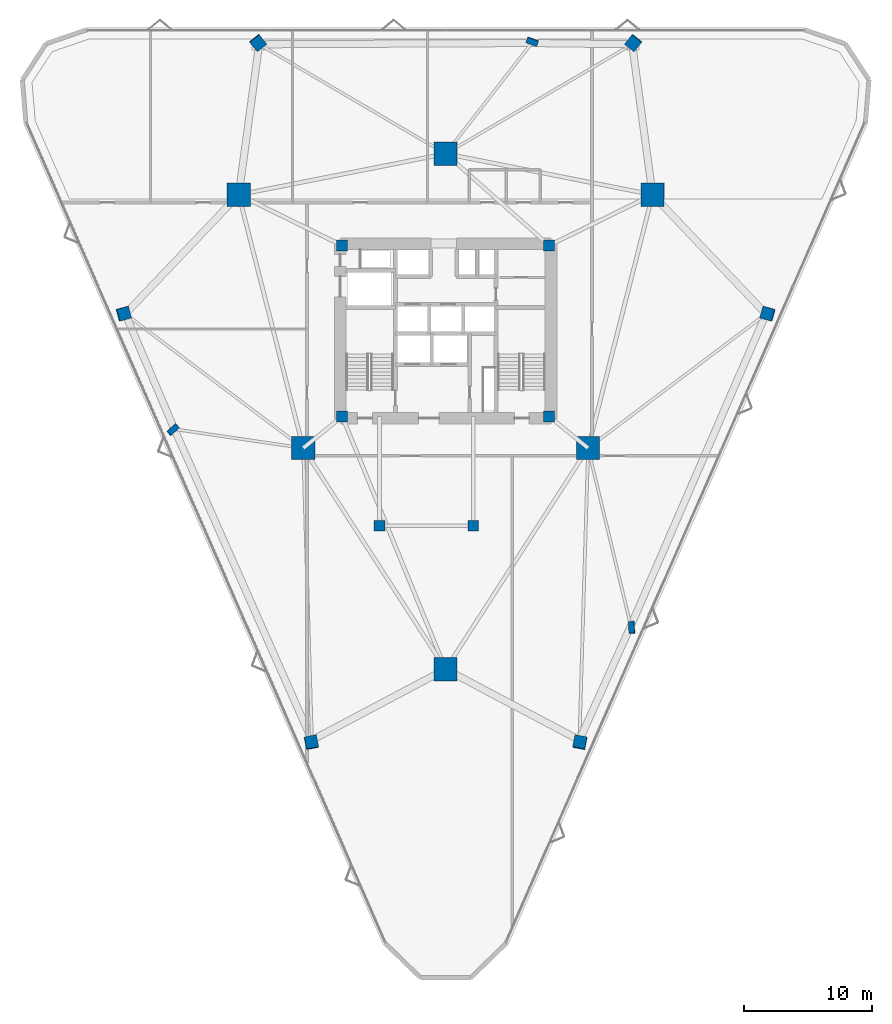
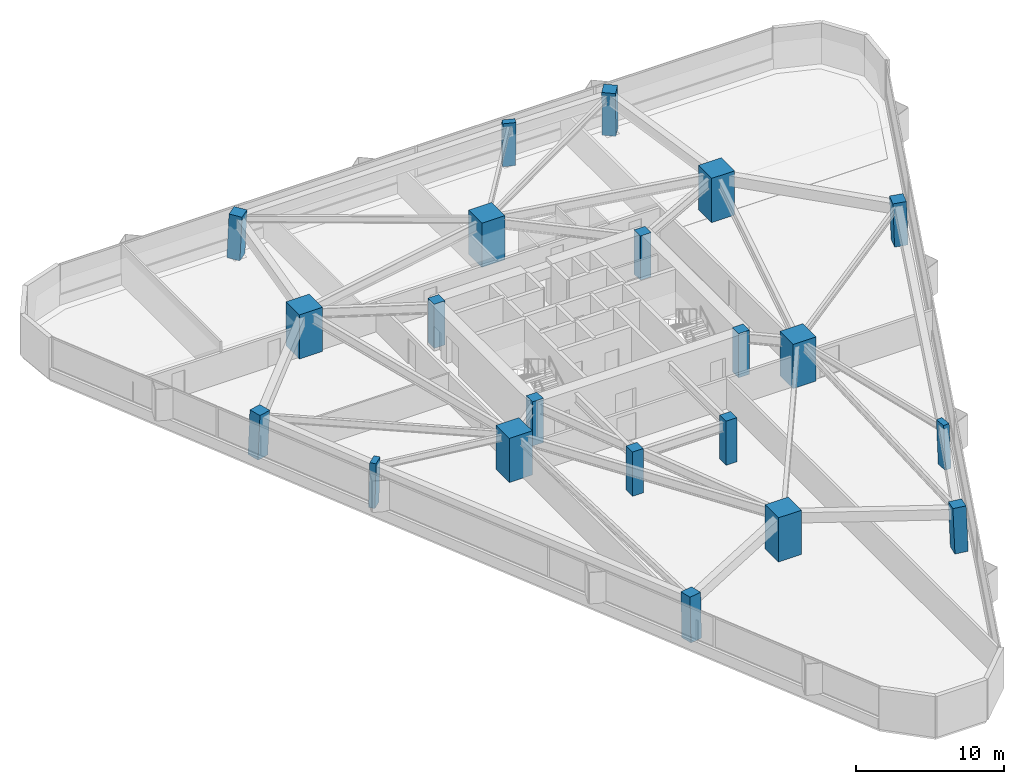
# One storey, part 1 of 21: 21 columns.
"""IFC4 building model written with IfcOpenShell, lengths in metres."""

import ifcopenshell
import ifcopenshell.guid

model = None  # the IFC model being written
_history = None  # IfcOwnerHistory: only IFC2X3 demands one
_inside = {}  # id of a spatial element -> (the spatial element, [elements in it])
_under = {}  # id of a project, library or spatial element -> (it, [spatial elements below it])
_declared = {}  # id of a project -> (the project, [libraries it declares])
_typed = {}  # id of a type object -> (the type object, [elements of that type])
_made_of = {}  # id of a material, layer set ... -> (it, [elements and type objects made of it])


def new_model(schema):
    """Start an empty IFC model of exactly this schema.

    Asked for "IFC4X3", IfcOpenShell would pick the latest addendum, in which some entities
    have other attributes; the version numbers below select the first issue.
    IFC2X3 requires an IfcOwnerHistory on every rooted entity: one is made here for all.
    """
    global model, _history
    if schema == "IFC4X3":
        model = ifcopenshell.file(schema_version=(4, 3, 0, 0))
    else:
        model = ifcopenshell.file(schema=schema)
    _inside.clear()
    _under.clear()
    _declared.clear()
    _typed.clear()
    _made_of.clear()
    _history = None
    if model.schema == "IFC2X3":
        org = make("IfcOrganization", Name="unknown")
        user = make(
            "IfcPersonAndOrganization",
            ThePerson=make("IfcPerson", FamilyName="unknown"),
            TheOrganization=org,
        )
        app = make(
            "IfcApplication",
            ApplicationDeveloper=org,
            Version="unknown",
            ApplicationFullName="unknown",
            ApplicationIdentifier="unknown",
        )
        _history = make(
            "IfcOwnerHistory",
            OwningUser=user,
            OwningApplication=app,
            ChangeAction="ADDED",
            CreationDate=0,
        )
    return model


def make(cls, **values):
    """One entity of the class cls with the attributes given. An attribute that is None is left unset."""
    return model.create_entity(
        cls, **{name: value for name, value in values.items() if value is not None}
    )


def rooted(cls, **values):
    """An entity with a GlobalId (a new one), such as an element, a storey or a relation."""
    return make(cls, GlobalId=ifcopenshell.guid.new(), OwnerHistory=_history, **values)


def si_unit(unit_type, name, prefix=None):
    """IfcSIUnit, for example si_unit("LENGTHUNIT", "METRE", prefix="MILLI")."""
    return make("IfcSIUnit", UnitType=unit_type, Prefix=prefix, Name=name)


def assignment(units):
    """IfcUnitAssignment: the units of a project."""
    return None if units is None else make("IfcUnitAssignment", Units=units)


def point(xyz):
    """IfcCartesianPoint."""
    return None if xyz is None else make("IfcCartesianPoint", Coordinates=xyz)


def direction(xyz):
    """IfcDirection."""
    return None if xyz is None else make("IfcDirection", DirectionRatios=xyz)


def frame(location, z_axis=None, x_axis=None):
    """IfcAxis2Placement3D, a coordinate frame: its origin and axes. An axis left out is left unset."""
    return make(
        "IfcAxis2Placement3D",
        Location=point(location),
        Axis=direction(z_axis),
        RefDirection=direction(x_axis),
    )


def frame_2d(location, x_axis=None):
    """IfcAxis2Placement2D, a coordinate frame in the plane: its origin and x axis."""
    return make(
        "IfcAxis2Placement2D", Location=point(location), RefDirection=direction(x_axis)
    )


def origin():
    """The frame at (0, 0, 0) with its axes left unset."""
    return frame((0.0, 0.0, 0.0))


def origin_2d():
    """The frame at (0, 0) in the plane with its x axis left unset."""
    return frame_2d((0.0, 0.0))


def place(relative_to, where):
    """IfcLocalPlacement: puts the frame where relative to a parent placement (None: the world)."""
    return make(
        "IfcLocalPlacement", PlacementRelTo=relative_to, RelativePlacement=where
    )


def context(
    kind, dimensions, precision=None, world=None, true_north=None, identifier=None
):
    """IfcGeometricRepresentationContext, for example the 3D "Model" context."""
    return make(
        "IfcGeometricRepresentationContext",
        ContextIdentifier=identifier,
        ContextType=kind,
        CoordinateSpaceDimension=dimensions,
        Precision=precision,
        WorldCoordinateSystem=world,
        TrueNorth=true_north,
    )


def subcontext(parent, identifier, kind, view, scale=None):
    """IfcGeometricRepresentationSubContext, for example "Body" below "Model"."""
    return make(
        "IfcGeometricRepresentationSubContext",
        ContextIdentifier=identifier,
        ContextType=kind,
        ParentContext=parent,
        TargetScale=scale,
        TargetView=view,
    )


def project(units=None, contexts=None):
    """IfcProject with its units and contexts."""
    return rooted(
        "IfcProject",
        Name="project",
        RepresentationContexts=contexts,
        UnitsInContext=assignment(units),
    )


def spatial(cls, under=None, at=None, **own):
    """A site, building, storey or space (cls), placed at a placement, below another one or the project."""
    s = rooted(cls, ObjectPlacement=at, **own)
    if under is not None:
        _under.setdefault(under.id(), (under, []))[1].append(s)
    return s


def profile(cls, at=None, kind="AREA", **sizes):
    """A parametric profile (cls). Its sizes go by their IFC names, for example OverallWidth=200.0."""
    return make(cls, ProfileType=kind, Position=at, **sizes)


def rectangle(**sizes):
    """IfcRectangleProfileDef."""
    return profile("IfcRectangleProfileDef", **sizes)


def extrude(swept, where, along, depth):
    """IfcExtrudedAreaSolid: the profile swept, set in the frame where, extruded along a direction by depth."""
    return make(
        "IfcExtrudedAreaSolid",
        SweptArea=swept,
        Position=where,
        ExtrudedDirection=direction(along),
        Depth=depth,
    )


def shape(context_of_items, identifier, shape_type, items):
    """IfcShapeRepresentation: the items that make up one representation, for example the "Body"."""
    return make(
        "IfcShapeRepresentation",
        ContextOfItems=context_of_items,
        RepresentationIdentifier=identifier,
        RepresentationType=shape_type,
        Items=items,
    )


def material(Name=None, Category=None):
    """IfcMaterial."""
    return make("IfcMaterial", Name=Name, Category=Category)


def material_profile(
    of_material, cross_section, Name=None, Category=None, Priority=None
):
    """IfcMaterialProfile: a cross section and its material."""
    return make(
        "IfcMaterialProfile",
        Name=Name,
        Material=of_material,
        Profile=cross_section,
        Priority=Priority,
        Category=Category,
    )


def profile_set(profiles, Name=None, composite=None):
    """IfcMaterialProfileSet."""
    return make(
        "IfcMaterialProfileSet",
        Name=Name,
        MaterialProfiles=profiles,
        CompositeProfile=composite,
    )


def made_of(thing, what):
    """Note that an element or type object is made of a material, layer set ...; save() writes the relation."""
    if what is not None:
        _made_of.setdefault(what.id(), (what, []))[1].append(thing)
    return thing


def type_object(cls, material=None, **own):
    """A type object (cls), such as IfcWallType, which elements share."""
    return made_of(rooted(cls, **own), material)


def element(
    cls,
    number,
    at=None,
    inside=None,
    cuts=None,
    type_object=None,
    material=None,
    context=None,
    identifier="Body",
    shape_type=None,
    held_by="IfcProductDefinitionShape",
    body=None,
    shapes=None,
    **own,
):
    """One element of the class cls, such as IfcWall. Its Tag is "e" and its number.

    at: its placement. inside: the storey or other place that contains it. cuts: it is an
    opening in that element (IfcRelVoidsElement). A single representation is given by context,
    identifier, shape_type and body (its items); several are given by shapes. held_by: the class
    of the entity that holds the representations. save() writes the other relations.
    """
    e = rooted(cls, Tag="e%d" % number, ObjectPlacement=at, **own)
    if body is not None:
        shapes = [shape(context, identifier, shape_type, body)]
    if shapes is not None:
        e.Representation = make(held_by, Representations=shapes)
    if inside is not None:
        _inside.setdefault(inside.id(), (inside, []))[1].append(e)
    if cuts is not None:
        rooted(
            "IfcRelVoidsElement", RelatingBuildingElement=cuts, RelatedOpeningElement=e
        )
    if type_object is not None:
        _typed.setdefault(type_object.id(), (type_object, []))[1].append(e)
    return made_of(e, material)


def aggregate(whole, parts):
    """IfcRelAggregates: a whole, such as a stair, and the parts it consists of."""
    return rooted("IfcRelAggregates", RelatingObject=whole, RelatedObjects=parts)


def save(model, path):
    """Write the relations noted so far, then the file.

    IfcRelAggregates (storeys below a building ...), IfcRelContainedInSpatialStructure (elements
    in a storey), IfcRelDefinesByType, IfcRelAssociatesMaterial and IfcRelDeclares: one each for
    every whole, place, type object, material and project.
    """
    for whole, parts in _under.values():
        aggregate(whole, parts)
    for where, things in _inside.values():
        rooted(
            "IfcRelContainedInSpatialStructure",
            RelatedElements=things,
            RelatingStructure=where,
        )
    for kind, things in _typed.values():
        rooted("IfcRelDefinesByType", RelatedObjects=things, RelatingType=kind)
    for what, things in _made_of.values():
        rooted("IfcRelAssociatesMaterial", RelatedObjects=things, RelatingMaterial=what)
    for by, libraries in _declared.values():
        rooted("IfcRelDeclares", RelatingContext=by, RelatedDefinitions=libraries)
    model.write(path)


model = new_model("IFC4")

# Units and contexts
model_context = context("Model", 3, precision=1e-05, world=origin(), true_north=direction((0.0, 1.0)))
body_context = subcontext(model_context, "Body", "Model", "MODEL_VIEW")
ifc_project = project(units=[si_unit("LENGTHUNIT", "METRE"), si_unit("AREAUNIT", "SQUARE_METRE"), si_unit("VOLUMEUNIT", "CUBIC_METRE"), si_unit("PLANEANGLEUNIT", "RADIAN"), si_unit("MASSUNIT", "GRAM", prefix="KILO")], contexts=[model_context])

# Site, building, storey
site_placement = place(None, origin())
site = spatial("IfcSite", under=ifc_project, at=site_placement, CompositionType="ELEMENT")
building_placement = place(site_placement, origin())
building = spatial("IfcBuilding", under=site, at=building_placement, Name="Talyreon Biosciences Tower", CompositionType="ELEMENT")
storey_placement = place(building_placement, frame((0.0, 0.0, 55.64990234375)))
storey = spatial("IfcBuildingStorey", under=building, at=storey_placement, Name="L14", CompositionType="ELEMENT", Elevation=55.64990234375)

# Columns
ifc_material_1 = material(Name="Precast concrete C45/55", Category="concrete")
ifc_material_profile_1 = material_profile(ifc_material_1, rectangle(XDim=0.89990234375, YDim=0.449951171875, at=origin_2d()), Name="RC 900x450")
ifc_profile_set_1 = profile_set([ifc_material_profile_1], Name="Precast concrete C45/55")
column_type_1 = type_object("IfcColumnType", Name="FacadePilaster_900x450", PredefinedType="PILASTER", material=ifc_profile_set_1)
column_1_placement = place(storey_placement, frame((80.481201171875, 44.907470703125, 0.003173828125), z_axis=(-0.019612004119, 0.038286915892, 0.999074312234), x_axis=(0.06035251404, -0.997398931013, 0.039407441723)))
element("IfcColumn", 1, at=column_1_placement, inside=storey, type_object=column_type_1, Name="L14 Facade Pilaster PL-SE", PredefinedType="PILASTER", context=body_context, shape_type="SweptSolid", body=[
    extrude(rectangle(XDim=0.89990234375, YDim=0.449951171875, at=origin_2d()), origin(), (0.0, 0.0, 1.0), 3.6474609375),
])
column_2_placement = place(storey_placement, frame((72.744873046875, 90.526123046875, 0.003173828125), z_axis=(-0.01238655289, -0.033544124313, 0.999360478022), x_axis=(-0.9380871136, 0.346399433166, 0.0)))
element("IfcColumn", 2, at=column_2_placement, inside=storey, type_object=column_type_1, Name="L14 Facade Pilaster PL-N", PredefinedType="PILASTER", context=body_context, shape_type="SweptSolid", body=[
    extrude(rectangle(XDim=0.89990234375, YDim=0.449951171875, at=origin_2d()), origin(), (0.0, 0.0, 1.0), 3.646484375),
])
column_3_placement = place(storey_placement, frame((44.77392578125, 60.315673828125, 0.003173828125), z_axis=(0.032006476949, 0.010512587617, 0.999432374368), x_axis=(0.744704304537, 0.666680636972, -0.030861417498)))
element("IfcColumn", 3, at=column_3_placement, inside=storey, type_object=column_type_1, Name="L14 Facade Pilaster PL-SW", PredefinedType="PILASTER", context=body_context, shape_type="SweptSolid", body=[
    extrude(rectangle(XDim=0.89990234375, YDim=0.449951171875, at=origin_2d()), origin(), (0.0, 0.0, 1.0), 3.64599609375),
])
ifc_material_2 = material(Name="Concrete C60/75", Category="concrete")
ifc_material_profile_2 = material_profile(ifc_material_2, rectangle(XDim=1.800048828125, YDim=1.800048828125, at=origin_2d()), Name="RC 1800x1800")
ifc_profile_set_2 = profile_set([ifc_material_profile_2], Name="Concrete C60/75")
column_type_2 = type_object("IfcColumnType", Name="MegaColumn_1800", PredefinedType="COLUMN", material=ifc_profile_set_2)
for number, where, z_axis, x_axis, name in (
    (4, (66.0, 41.6669921875, 0.0), (0.0, 0.0, 1.0), (1.0, 0.0, 0.0), "L14 Composite Mega-Column MC1"),
    (5, (82.102294921875, 78.5986328125, 0.0), (0.0, 0.0, 1.0), (1.0, 0.0, 0.0), "L14 Composite Mega-Column MC2"),
    (6, (49.897705078125, 78.5986328125, 0.0), (0.0, 0.0, 1.0), (1.0, 0.0, 0.0), "L14 Composite Mega-Column MC3"),
    (7, (77.086181640625, 58.88037109375, 0.0), (0.0, 0.0, 1.0), (1.0, 0.0, 0.0), "L14 Composite Mega-Column MC4"),
    (8, (66.0, 81.788818359375, 0.0), (0.0, 0.0, 1.0), (1.0, 0.0, 0.0), "L14 Composite Mega-Column MC5"),
    (9, (54.913818359375, 58.88037109375, 0.0), (0.0, 0.0, 1.0), (1.0, 0.0, 0.0), "L14 Composite Mega-Column MC6"),
):
    element("IfcColumn", number, at=place(storey_placement, frame(where, z_axis=z_axis, x_axis=x_axis)), inside=storey, type_object=column_type_2, Name=name, PredefinedType="COLUMN", context=body_context, shape_type="SweptSolid", body=[
        extrude(rectangle(XDim=1.800048828125, YDim=1.800048828125, at=origin_2d()), origin(), (0.0, 0.0, 1.0), 3.650146484375),
    ])
ifc_material_profile_3 = material_profile(ifc_material_2, rectangle(XDim=0.85009765625, YDim=0.85009765625, at=origin_2d()), Name="RC 850x850")
ifc_profile_set_3 = profile_set([ifc_material_profile_3], Name="Concrete C60/75")
column_type_3 = type_object("IfcColumnType", Name="PerimeterColumn_850", PredefinedType="COLUMN", material=ifc_profile_set_3)
for number, where, z_axis, x_axis, name in (
    (10, (57.949951171875, 61.35009765625, 0.0), (0.0, 0.0, 1.0), (1.0, 0.0, 0.0), "L14 Core Column CC1"),
    (11, (74.050048828125, 61.35009765625, 0.0), (0.0, 0.0, 1.0), (1.0, 0.0, 0.0), "L14 Core Column CC2"),
    (12, (74.050048828125, 74.64990234375, 0.0), (0.0, 0.0, 1.0), (1.0, 0.0, 0.0), "L14 Core Column CC3"),
    (13, (57.949951171875, 74.64990234375, 0.0), (0.0, 0.0, 1.0), (1.0, 0.0, 0.0), "L14 Core Column CC4"),
    (14, (60.85009765625, 52.840087890625, 0.0), (0.0, 0.0, 1.0), (1.0, 0.0, 0.0), "L14 Core Column CSW"),
    (15, (68.14990234375, 52.840087890625, 0.0), (0.0, 0.0, 1.0), (1.0, 0.0, 0.0), "L14 Core Column CSE"),
):
    element("IfcColumn", number, at=place(storey_placement, frame(where, z_axis=z_axis, x_axis=x_axis)), inside=storey, type_object=column_type_3, Name=name, PredefinedType="COLUMN", context=body_context, shape_type="SweptSolid", body=[
        extrude(rectangle(XDim=0.85009765625, YDim=0.85009765625, at=origin_2d()), origin(), (0.0, 0.0, 1.0), 3.650146484375),
    ])
ifc_material_profile_4 = material_profile(ifc_material_2, rectangle(XDim=0.949951171875, YDim=0.949951171875, at=origin_2d()), Name="RC 950x950")
ifc_profile_set_4 = profile_set([ifc_material_profile_4], Name="Concrete C60/75")
column_type_4 = type_object("IfcColumnType", Name="PerimeterColumn_950", PredefinedType="COLUMN", material=ifc_profile_set_4)
column_4_placement = place(storey_placement, frame((76.455078125, 35.95947265625, 0.003173828125), z_axis=(-0.012375096162, 0.054517315524, 0.998436136818), x_axis=(-0.188588621834, -0.980719945231, 0.051212505716)))
element("IfcColumn", 16, at=column_4_placement, inside=storey, type_object=column_type_4, Name="L14 Tapering Perimeter Column PC-SE1", PredefinedType="COLUMN", context=body_context, shape_type="SweptSolid", body=[
    extrude(rectangle(XDim=0.949951171875, YDim=0.949951171875, at=origin_2d()), origin(), (0.0, 0.0, 1.0), 3.649658203125),
])
column_5_placement = place(storey_placement, frame((91.069091796875, 69.34375, 0.003173828125), z_axis=(-0.039296349527, -0.005623327701, 0.999211776902), x_axis=(0.962928567101, -0.267294126153, 0.036365158937)))
element("IfcColumn", 17, at=column_5_placement, inside=storey, type_object=column_type_4, Name="L14 Tapering Perimeter Column PC-SE2", PredefinedType="COLUMN", context=body_context, shape_type="SweptSolid", body=[
    extrude(rectangle(XDim=0.949951171875, YDim=0.949951171875, at=origin_2d()), origin(), (0.0, 0.0, 1.0), 3.64697265625),
])
for number, where, z_axis, x_axis, name in (
    (18, (80.614013671875, 90.426025390625, 0.003173828125), (-0.026841136432, -0.033467751162, 0.999079307676), (-0.780107149771, 0.625645934116, 0.0), "L14 Tapering Perimeter Column PC-N1"),
    (19, (51.385986328125, 90.426025390625, 0.003173828125), (0.026841136432, -0.033467751162, 0.999079307676), (-0.780107149771, -0.625645934116, 0.0), "L14 Tapering Perimeter Column PC-N2"),
):
    element("IfcColumn", number, at=place(storey_placement, frame(where, z_axis=z_axis, x_axis=x_axis)), inside=storey, type_object=column_type_4, Name=name, PredefinedType="COLUMN", context=body_context, shape_type="SweptSolid", body=[
        extrude(rectangle(XDim=0.949951171875, YDim=0.949951171875, at=origin_2d()), origin(), (0.0, 0.0, 1.0), 3.6474609375),
    ])
column_6_placement = place(storey_placement, frame((40.930908203125, 69.34375, 0.003173828125), z_axis=(0.039296349527, -0.005623327701, 0.999211776902), x_axis=(0.962928567101, 0.267294126153, -0.036365158937)))
element("IfcColumn", 20, at=column_6_placement, inside=storey, type_object=column_type_4, Name="L14 Tapering Perimeter Column PC-SW1", PredefinedType="COLUMN", context=body_context, shape_type="SweptSolid", body=[
    extrude(rectangle(XDim=0.949951171875, YDim=0.949951171875, at=origin_2d()), origin(), (0.0, 0.0, 1.0), 3.64697265625),
])
column_7_placement = place(storey_placement, frame((55.544921875, 35.95947265625, 0.003173828125), z_axis=(0.012375096162, 0.054517315524, 0.998436136818), x_axis=(-0.188588621834, 0.980719945231, -0.051212505716)))
element("IfcColumn", 21, at=column_7_placement, inside=storey, type_object=column_type_4, Name="L14 Tapering Perimeter Column PC-SW2", PredefinedType="COLUMN", context=body_context, shape_type="SweptSolid", body=[
    extrude(rectangle(XDim=0.949951171875, YDim=0.949951171875, at=origin_2d()), origin(), (0.0, 0.0, 1.0), 3.649658203125),
])

save(model, "model.ifc")
